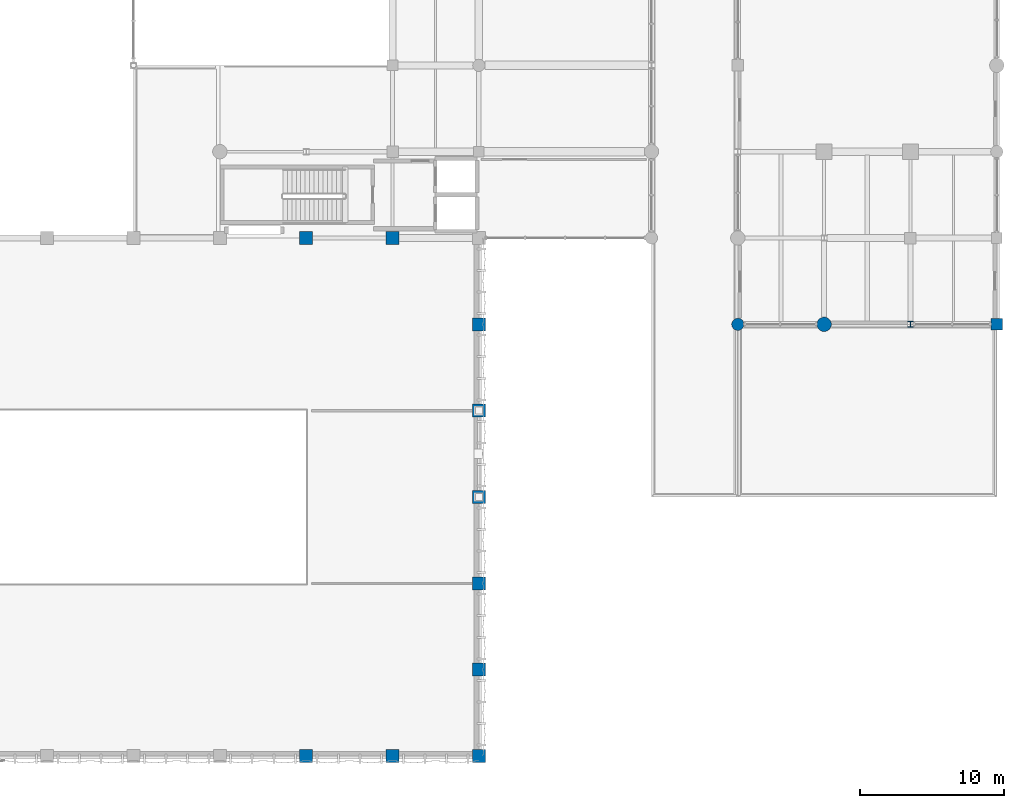
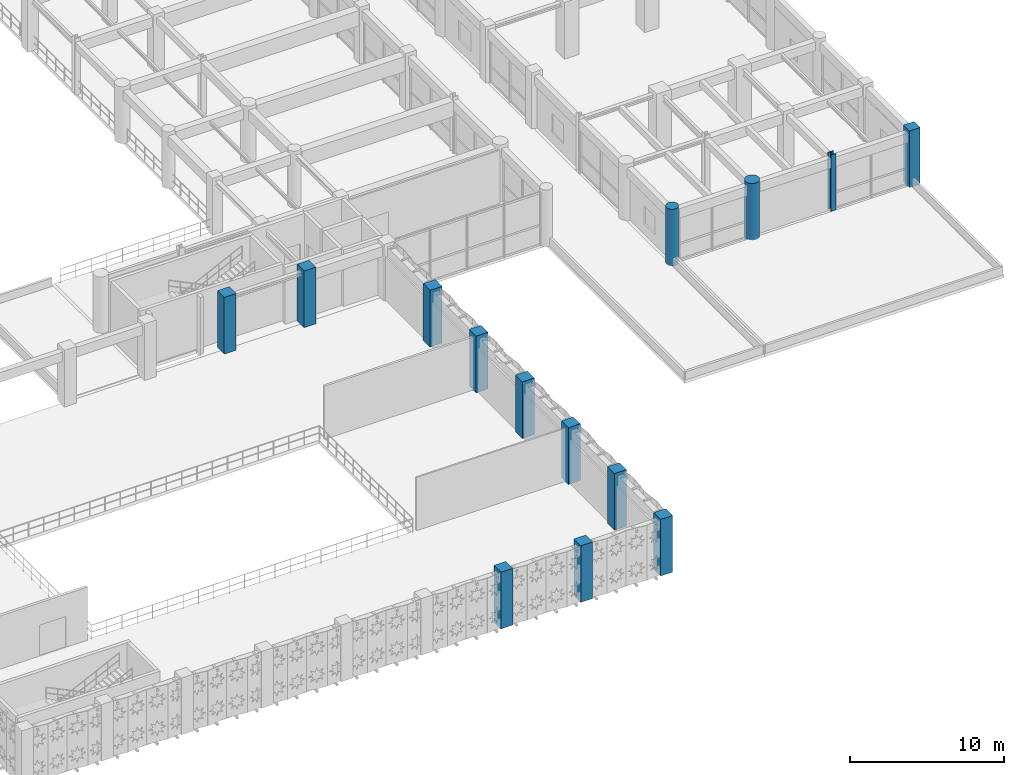
# One storey, part 14 of 133: 14 columns.
"""IFC4 building model written with IfcOpenShell, lengths in metres."""

from ifc_helpers import new_model, si_unit, direction, frame, origin, origin_2d, place, context, subcontext, project, spatial, rectangle, circle, i_section, extrude, material, material_profile, profile_set, type_object, element, save


model = new_model("IFC4")

# Units and contexts
model_context = context("Model", 3, precision=1e-05, world=origin(), true_north=direction((0.0, 1.0)))
body_context = subcontext(model_context, "Body", "Model", "MODEL_VIEW")
ifc_project = project(units=[si_unit("LENGTHUNIT", "METRE"), si_unit("AREAUNIT", "SQUARE_METRE"), si_unit("VOLUMEUNIT", "CUBIC_METRE"), si_unit("PLANEANGLEUNIT", "RADIAN"), si_unit("MASSUNIT", "GRAM", prefix="KILO"), si_unit("THERMODYNAMICTEMPERATUREUNIT", "KELVIN"), si_unit("POWERUNIT", "WATT")], contexts=[model_context])

# Site, building, storey
site_placement = place(None, origin())
site = spatial("IfcSite", under=ifc_project, at=site_placement, CompositionType="ELEMENT")
building_placement = place(site_placement, origin())
building = spatial("IfcBuilding", under=site, at=building_placement, Name="Phaisarnlok Congress Hotel", CompositionType="ELEMENT")
storey_placement = place(building_placement, frame((0.0, 0.0, 6.0)))
storey = spatial("IfcBuildingStorey", under=building, at=storey_placement, Name="L01", CompositionType="ELEMENT", Elevation=6.0)

# Columns
ifc_material_1 = material(Name="Concrete C50/60", Category="concrete")
ifc_material_profile_1 = material_profile(ifc_material_1, rectangle(XDim=0.800048828125, YDim=0.800048828125, at=origin_2d()), Name="RC 800x800")
ifc_profile_set_1 = profile_set([ifc_material_profile_1], Name="Concrete C50/60")
column_type_1 = type_object("IfcColumnType", Name="COL-RC-800-EXT", PredefinedType="COLUMN", material=ifc_profile_set_1)
column_1_placement = place(storey_placement, frame((180.0, 30.0, 0.0), z_axis=(0.0, 0.0, 1.0), x_axis=(1.0, 0.0, 0.0)))
element("IfcColumn", 1, at=column_1_placement, inside=storey, type_object=column_type_1, Name="Column C-07E (L01)", PredefinedType="COLUMN", context=body_context, shape_type="SweptSolid", body=[
    extrude(rectangle(XDim=0.800048828125, YDim=0.800048828125, at=origin_2d()), origin(), (0.0, 0.0, 1.0), 4.5),
])
ifc_material_profile_2 = material_profile(ifc_material_1, rectangle(XDim=0.89990234375, YDim=0.89990234375, at=origin_2d()), Name="RC 900x900")
ifc_profile_set_2 = profile_set([ifc_material_profile_2], Name="Concrete C50/60")
column_type_2 = type_object("IfcColumnType", Name="COL-RC-900", PredefinedType="COLUMN", material=ifc_profile_set_2)
for number, where, z_axis, x_axis, name in (
    (2, (132.0, 36.0, 0.0), (0.0, 0.0, 1.0), (1.0, 0.0, 0.0), "Column C-08 (L01)"),
    (3, (138.0, 36.0, 0.0), (0.0, 0.0, 1.0), (1.0, 0.0, 0.0), "Column C-08 (L01)"),
    (4, (144.0, 6.0, 0.0), (0.0, 0.0, 1.0), (1.0, 0.0, 0.0), "Column C-08 (L01)"),
    (5, (144.0, 12.0, 0.0), (0.0, 0.0, 1.0), (1.0, 0.0, 0.0), "Column C-08 (L01)"),
    (6, (144.0, 18.0, 0.0), (0.0, 0.0, 1.0), (1.0, 0.0, 0.0), "Column C-08 (L01)"),
    (7, (144.0, 24.0, 0.0), (0.0, 0.0, 1.0), (1.0, 0.0, 0.0), "Column C-08 (L01)"),
    (8, (144.0, 30.0, 0.0), (0.0, 0.0, 1.0), (1.0, 0.0, 0.0), "Column C-08 (L01)"),
):
    element("IfcColumn", number, at=place(storey_placement, frame(where, z_axis=z_axis, x_axis=x_axis)), inside=storey, type_object=column_type_2, Name=name, PredefinedType="COLUMN", context=body_context, shape_type="SweptSolid", body=[
        extrude(rectangle(XDim=0.89990234375, YDim=0.89990234375, at=origin_2d()), origin(), (0.0, 0.0, 1.0), 4.5),
    ])
ifc_material_profile_3 = material_profile(ifc_material_1, rectangle(XDim=0.89990234375, YDim=0.89990234375, at=origin_2d()), Name="RC 900x900")
ifc_profile_set_3 = profile_set([ifc_material_profile_3], Name="Concrete C50/60")
column_type_3 = type_object("IfcColumnType", Name="COL-RC-900-EXT", PredefinedType="COLUMN", material=ifc_profile_set_3)
for number, where, z_axis, x_axis, name in (
    (9, (132.0, 0.0, 0.0), (0.0, 0.0, 1.0), (1.0, 0.0, 0.0), "Column C-08E (L01)"),
    (10, (138.0, 0.0, 0.0), (0.0, 0.0, 1.0), (1.0, 0.0, 0.0), "Column C-08E (L01)"),
    (11, (144.0, 0.0, 0.0), (0.0, 0.0, 1.0), (1.0, 0.0, 0.0), "Column C-08E (L01)"),
):
    element("IfcColumn", number, at=place(storey_placement, frame(where, z_axis=z_axis, x_axis=x_axis)), inside=storey, type_object=column_type_3, Name=name, PredefinedType="COLUMN", context=body_context, shape_type="SweptSolid", body=[
        extrude(rectangle(XDim=0.89990234375, YDim=0.89990234375, at=origin_2d()), origin(), (0.0, 0.0, 1.0), 4.5),
    ])
ifc_material_profile_4 = material_profile(ifc_material_1, circle(Radius=0.5, at=origin_2d()), Name="RCC D1000")
ifc_profile_set_4 = profile_set([ifc_material_profile_4], Name="Concrete C50/60")
column_type_4 = type_object("IfcColumnType", Name="COL-RCC-1000", PredefinedType="COLUMN", material=ifc_profile_set_4)
column_2_placement = place(storey_placement, frame((168.0, 30.0, 0.0), z_axis=(0.0, 0.0, 1.0), x_axis=(1.0, 0.0, 0.0)))
element("IfcColumn", 12, at=column_2_placement, inside=storey, type_object=column_type_4, Name="Column C-15 (L01)", PredefinedType="COLUMN", context=body_context, shape_type="SweptSolid", body=[
    extrude(circle(Radius=0.5, at=origin_2d()), origin(), (0.0, 0.0, 1.0), 4.5),
])
ifc_material_profile_5 = material_profile(ifc_material_1, circle(Radius=0.425048828125, at=origin_2d()), Name="RCC D850")
ifc_profile_set_5 = profile_set([ifc_material_profile_5], Name="Concrete C50/60")
column_type_5 = type_object("IfcColumnType", Name="COL-RCC-850", PredefinedType="COLUMN", material=ifc_profile_set_5)
column_3_placement = place(storey_placement, frame((162.0, 30.0, 0.0), z_axis=(0.0, 0.0, 1.0), x_axis=(1.0, 0.0, 0.0)))
element("IfcColumn", 13, at=column_3_placement, inside=storey, type_object=column_type_5, Name="Column C-14 (L01)", PredefinedType="COLUMN", context=body_context, shape_type="SweptSolid", body=[
    extrude(circle(Radius=0.425048828125, at=origin_2d()), origin(), (0.0, 0.0, 1.0), 4.5),
])
ifc_material_2 = material(Name="Steel S355", Category="steel")
ifc_material_profile_6 = material_profile(ifc_material_2, i_section(OverallWidth=0.40087890625, OverallDepth=0.39892578125, WebThickness=0.0185546875, FlangeThickness=0.030029296875, FilletRadius=0.014892578125, at=origin_2d()), Name="HD 400x314")
ifc_profile_set_6 = profile_set([ifc_material_profile_6], Name="Steel S355")
column_type_6 = type_object("IfcColumnType", Name="COL-STL-HD314", PredefinedType="COLUMN", material=ifc_profile_set_6)
column_4_placement = place(storey_placement, frame((174.0, 30.0, 0.0), z_axis=(0.0, 0.0, 1.0), x_axis=(1.0, 0.0, 0.0)))
element("IfcColumn", 14, at=column_4_placement, inside=storey, type_object=column_type_6, Name="Column SC-04 (L01)", PredefinedType="COLUMN", context=body_context, shape_type="SweptSolid", body=[
    extrude(i_section(OverallWidth=0.40087890625, OverallDepth=0.39892578125, WebThickness=0.0185546875, FlangeThickness=0.030029296875, FilletRadius=0.014892578125, at=origin_2d()), origin(), (0.0, 0.0, 1.0), 4.5),
])

save(model, "model.ifc")
